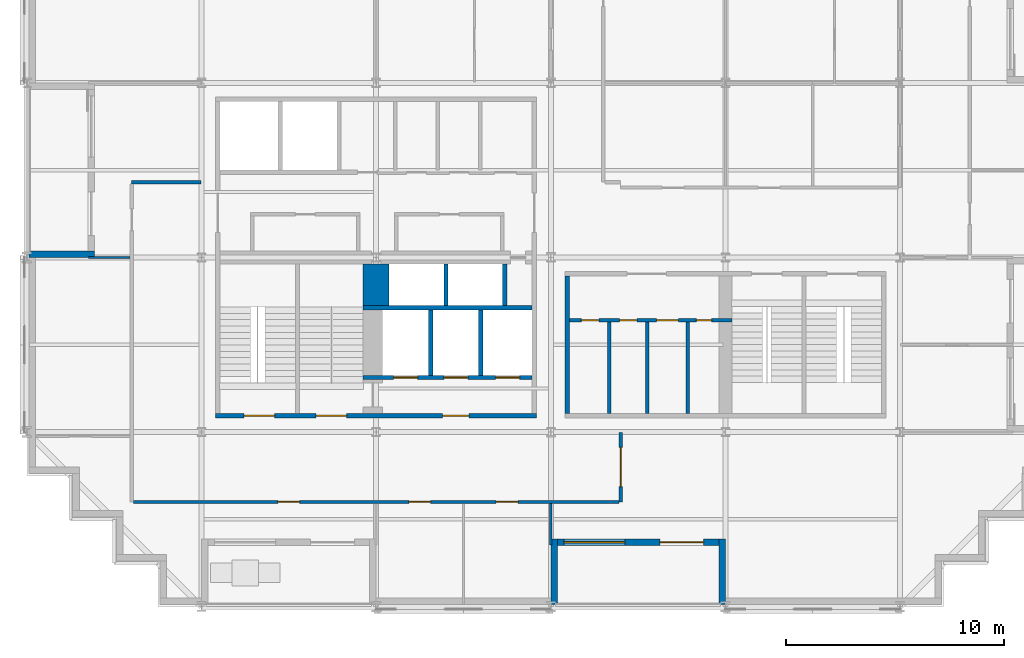
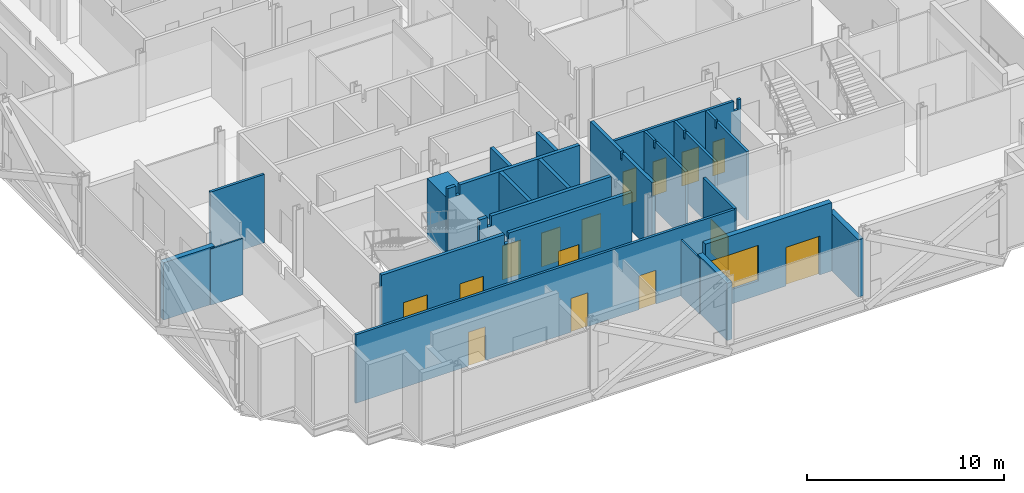
# One storey, part 6 of 15: 22 walls, 15 doors, 1 window, 16 openings.
"""IFC4 building model written with IfcOpenShell, lengths in metres."""

from ifc_helpers import new_model, si_unit, direction, frame, frame_2d, origin, place, context, subcontext, project, spatial, polyline, rectangle, outline, extrude, material, layer, layer_set, type_object, element, fill, save


model = new_model("IFC4")

# Units and contexts
model_context = context("Model", 3, precision=1e-05, world=origin(), true_north=direction((0.0, 1.0)))
body_context = subcontext(model_context, "Body", "Model", "MODEL_VIEW")
ifc_project = project(units=[si_unit("LENGTHUNIT", "METRE"), si_unit("AREAUNIT", "SQUARE_METRE"), si_unit("VOLUMEUNIT", "CUBIC_METRE"), si_unit("PLANEANGLEUNIT", "RADIAN"), si_unit("MASSUNIT", "GRAM", prefix="KILO")], contexts=[model_context])

# Site, building, storey
site_placement = place(None, origin())
site = spatial("IfcSite", under=ifc_project, at=site_placement, CompositionType="ELEMENT")
building_placement = place(site_placement, origin())
building = spatial("IfcBuilding", under=site, at=building_placement, Name="Immortelle Media Tower", CompositionType="ELEMENT")
storey_placement = place(building_placement, frame((0.0, 0.0, 87.60009765625)))
storey = spatial("IfcBuildingStorey", under=building, at=storey_placement, Name="L16", CompositionType="ELEMENT", Elevation=87.60009765625)

# Wall, openings, doors
ifc_material_1 = material(Name="Fire-rated gypsum board", Category="gypsum")
ifc_layer_1 = layer(ifc_material_1, 0.02490234375)
ifc_material_2 = material(Name="Steel ASTM A653 SS Gr 50 stud frame with mineral wool", Category="steel")
ifc_layer_2 = layer(ifc_material_2, 0.10009765625)
ifc_layer_3 = layer(ifc_material_1, 0.02490234375)
ifc_layer_set_1 = layer_set([ifc_layer_1, ifc_layer_2, ifc_layer_3], Name="Steel ASTM A653 SS Gr 50 stud frame with mineral wool")
wall_type_1 = type_object("IfcWallType", Name="Core partition 150", PredefinedType="PARTITIONING", material=ifc_layer_set_1)
wall_1_placement = place(storey_placement, frame((24.85009765625, 13.125, 0.0), z_axis=(0.0, 0.0, 1.0), x_axis=(1.0, 0.0, 0.0)))
wall_1 = element("IfcWall", 1, at=wall_1_placement, inside=storey, type_object=wall_type_1, Name="Core partition SE", PredefinedType="PARTITIONING", context=body_context, shape_type="SweptSolid", body=[
    extrude(outline(polyline([(0.0, 0.0), (7.449951171875, 0.0), (7.449951171875, 4.25), (7.26953125, 4.25), (7.2685546875, 3.6318359375), (7.031494140625, 3.6318359375), (7.030517578125, 4.25), (0.0, 4.25), (0.0, 0.0)])), frame((0.0, 0.074951171875, 0.0), z_axis=(0.0, -1.0, 0.0), x_axis=(1.0, 0.0, 0.0)), (0.0, 0.0, 1.0), 0.14990234375),
])
opening_1_placement = place(wall_1_placement, frame((1.35009765625, 0.0, 0.0), z_axis=(0.0, 0.0, 1.0), x_axis=(-1.0, 0.0, 0.0)))
opening_1 = element("IfcOpeningElement", 2, at=opening_1_placement, cuts=wall_1, Name="Opening N5-K017", PredefinedType="OPENING", context=body_context, shape_type="SweptSolid", body=[
    extrude(rectangle(XDim=0.800048828125, YDim=2.10009765625, at=frame_2d((0.39990234375, 1.050048828125))), frame((0.0, 0.0849609375, 0.0), z_axis=(0.0, -1.0, 0.0), x_axis=(1.0, 0.0, 0.0)), (0.0, 0.0, 1.0), 0.169921875),
])
opening_2_placement = place(wall_1_placement, frame((3.10009765625, 0.0, 0.0), z_axis=(0.0, 0.0, 1.0), x_axis=(-1.0, 0.0, 0.0)))
opening_2 = element("IfcOpeningElement", 3, at=opening_2_placement, cuts=wall_1, Name="Opening N5-K018", PredefinedType="OPENING", context=body_context, shape_type="SweptSolid", body=[
    extrude(rectangle(XDim=0.800048828125, YDim=2.10009765625, at=frame_2d((0.39990234375, 1.050048828125))), frame((0.0, 0.0849609375, 0.0), z_axis=(0.0, -1.0, 0.0), x_axis=(1.0, 0.0, 0.0)), (0.0, 0.0, 1.0), 0.169921875),
])
opening_3_placement = place(wall_1_placement, frame((5.0, 0.0, 0.0), z_axis=(0.0, 0.0, 1.0), x_axis=(-1.0, 0.0, 0.0)))
opening_3 = element("IfcOpeningElement", 4, at=opening_3_placement, cuts=wall_1, Name="Opening N5-K020", PredefinedType="OPENING", context=body_context, shape_type="SweptSolid", body=[
    extrude(rectangle(XDim=1.0, YDim=2.10009765625, at=frame_2d((0.5, 1.050048828125))), frame((0.0, 0.0849609375, 0.0), z_axis=(0.0, -1.0, 0.0), x_axis=(1.0, 0.0, 0.0)), (0.0, 0.0, 1.0), 0.169921875),
])
opening_4_placement = place(wall_1_placement, frame((6.52490234375, 0.0, 0.0), z_axis=(0.0, 0.0, 1.0), x_axis=(-1.0, 0.0, 0.0)))
opening_4 = element("IfcOpeningElement", 5, at=opening_4_placement, cuts=wall_1, Name="Opening N5-K021", PredefinedType="OPENING", context=body_context, shape_type="SweptSolid", body=[
    extrude(rectangle(XDim=0.699951171875, YDim=2.10009765625, at=frame_2d((0.35009765625, 1.050048828125))), frame((0.0, 0.0849609375, 0.0), z_axis=(0.0, -1.0, 0.0), x_axis=(1.0, 0.0, 0.0)), (0.0, 0.0, 1.0), 0.169921875),
])
ifc_material_3 = material(Name="Timber", Category="wood")
door_type_1 = type_object("IfcDoorType", Name="Accessible toilet door 1000 x 2100", OperationType="NOTDEFINED", PredefinedType="NOTDEFINED", material=ifc_material_3)
door_1_placement = place(opening_3_placement, origin())
door_1 = element("IfcDoor", 6, at=door_1_placement, inside=storey, type_object=door_type_1, Name="Accessible toilet N5-K020", OperationType="SINGLE_SWING_LEFT", OverallHeight=2.10009765625, OverallWidth=1.0, PredefinedType="NOTDEFINED", context=body_context, shape_type="SweptSolid", body=[
    extrude(rectangle(XDim=1.0, YDim=2.10009765625, at=frame_2d((0.5, 1.050048828125))), frame((0.0, 0.02490234375, 0.0), z_axis=(0.0, -1.0, 0.0), x_axis=(1.0, 0.0, 0.0)), (0.0, 0.0, 1.0), 0.050048828125),
])
fill(opening_3, door_1)
ifc_material_4 = material(Name="Galvanised steel door leaf and frame ASTM A653", Category="steel")
door_type_2 = type_object("IfcDoorType", Name="Service door 700 x 2100", OperationType="NOTDEFINED", PredefinedType="NOTDEFINED", material=ifc_material_4)
door_2_placement = place(opening_4_placement, origin())
door_2 = element("IfcDoor", 7, at=door_2_placement, inside=storey, type_object=door_type_2, Name="Service N5-K021", OperationType="SINGLE_SWING_LEFT", OverallHeight=2.10009765625, OverallWidth=0.699951171875, PredefinedType="NOTDEFINED", context=body_context, shape_type="SweptSolid", body=[
    extrude(rectangle(XDim=0.699951171875, YDim=2.10009765625, at=frame_2d((0.35009765625, 1.050048828125))), frame((0.0, 0.02490234375, 0.0), z_axis=(0.0, -1.0, 0.0), x_axis=(1.0, 0.0, 0.0)), (0.0, 0.0, 1.0), 0.050048828125),
])
fill(opening_4, door_2)
door_type_3 = type_object("IfcDoorType", Name="Toilet door 800 x 2100", OperationType="NOTDEFINED", PredefinedType="NOTDEFINED", material=ifc_material_3)
door_3_placement = place(opening_1_placement, origin())
door_3 = element("IfcDoor", 8, at=door_3_placement, inside=storey, type_object=door_type_3, Name="Toilet N5-K017", OperationType="SINGLE_SWING_LEFT", OverallHeight=2.10009765625, OverallWidth=0.800048828125, PredefinedType="NOTDEFINED", context=body_context, shape_type="SweptSolid", body=[
    extrude(rectangle(XDim=0.800048828125, YDim=2.10009765625, at=frame_2d((0.39990234375, 1.050048828125))), frame((0.0, 0.02490234375, 0.0), z_axis=(0.0, -1.0, 0.0), x_axis=(1.0, 0.0, 0.0)), (0.0, 0.0, 1.0), 0.050048828125),
])
fill(opening_1, door_3)
door_4_placement = place(opening_2_placement, origin())
door_4 = element("IfcDoor", 9, at=door_4_placement, inside=storey, type_object=door_type_3, Name="Toilet N5-K018", OperationType="SINGLE_SWING_LEFT", OverallHeight=2.10009765625, OverallWidth=0.800048828125, PredefinedType="NOTDEFINED", context=body_context, shape_type="SweptSolid", body=[
    extrude(rectangle(XDim=0.800048828125, YDim=2.10009765625, at=frame_2d((0.39990234375, 1.050048828125))), frame((0.0, 0.02490234375, 0.0), z_axis=(0.0, -1.0, 0.0), x_axis=(1.0, 0.0, 0.0)), (0.0, 0.0, 1.0), 0.050048828125),
])
fill(opening_2, door_4)

# Walls
for number, where, z_axis, x_axis, name in (
    (10, (26.675048828125, 8.85009765625, 0.0), (0.0, 0.0, 1.0), (0.0, 1.0, 0.0), "Core partition SE"),
    (11, (28.425048828125, 8.85009765625, 0.0), (0.0, 0.0, 1.0), (0.0, 1.0, 0.0), "Core partition SE"),
    (12, (30.27490234375, 8.85009765625, 0.0), (0.0, 0.0, 1.0), (0.0, 1.0, 0.0), "Core partition SE"),
):
    element("IfcWall", number, at=place(storey_placement, frame(where, z_axis=z_axis, x_axis=x_axis)), inside=storey, type_object=wall_type_1, Name=name, PredefinedType="PARTITIONING", context=body_context, shape_type="SweptSolid", body=[
        extrude(outline(polyline([(0.0, 0.0), (4.199951171875, 0.0), (4.199951171875, 4.25), (3.2314453125, 4.25), (3.23046875, 3.788818359375), (3.069580078125, 3.788818359375), (3.068603515625, 4.25), (0.0, 4.25), (0.0, 0.0)])), frame((0.0, 0.074951171875, 0.0), z_axis=(0.0, -1.0, 0.0), x_axis=(1.0, 0.0, 0.0)), (0.0, 0.0, 1.0), 0.14990234375),
    ])

# Wall, openings, doors
ifc_layer_4 = layer(ifc_material_1, 0.03759765625)
ifc_layer_5 = layer(ifc_material_2, 0.125)
ifc_layer_6 = layer(ifc_material_1, 0.03759765625)
ifc_layer_set_2 = layer_set([ifc_layer_4, ifc_layer_5, ifc_layer_6], Name="Steel ASTM A653 SS Gr 50 stud frame with mineral wool")
wall_type_2 = type_object("IfcWallType", Name="Core shaft wall 200", PredefinedType="PARTITIONING", material=ifc_layer_set_2)
wall_2_placement = place(storey_placement, frame((15.39990234375, 10.5, 0.0), z_axis=(0.0, 0.0, 1.0), x_axis=(1.0, 0.0, 0.0)))
wall_2 = element("IfcWall", 13, at=wall_2_placement, inside=storey, type_object=wall_type_2, Name="Core shaft wall SW", PredefinedType="PARTITIONING", context=body_context, shape_type="SweptSolid", body=[
    extrude(outline(polyline([(0.0, 0.0), (7.75, 0.0), (7.75, 4.25), (0.719482421875, 4.25), (0.718505859375, 3.6318359375), (0.4814453125, 3.6318359375), (0.48046875, 4.25), (0.0, 4.25), (0.0, 0.0)])), frame((0.0, 0.10009765625, 0.0), z_axis=(0.0, -1.0, 0.0), x_axis=(1.0, 0.0, 0.0)), (0.0, 0.0, 1.0), 0.199951171875),
])
opening_5_placement = place(wall_2_placement, frame((1.39990234375, 0.0, 0.0)))
opening_5 = element("IfcOpeningElement", 14, at=opening_5_placement, cuts=wall_2, Name="Opening LD", PredefinedType="OPENING", context=body_context, shape_type="SweptSolid", body=[
    extrude(rectangle(XDim=1.10009765625, YDim=2.10009765625, at=frame_2d((0.550048828125, 1.050048828125))), frame((0.0, 0.10986328125, 0.0), z_axis=(0.0, -1.0, 0.0), x_axis=(1.0, 0.0, 0.0)), (0.0, 0.0, 1.0), 0.219970703125),
])
opening_6_placement = place(wall_2_placement, frame((3.699951171875, 0.0, 0.0)))
opening_6 = element("IfcOpeningElement", 15, at=opening_6_placement, cuts=wall_2, Name="Opening LD", PredefinedType="OPENING", context=body_context, shape_type="SweptSolid", body=[
    extrude(rectangle(XDim=1.10009765625, YDim=2.10009765625, at=frame_2d((0.550048828125, 1.050048828125))), frame((0.0, 0.10986328125, 0.0), z_axis=(0.0, -1.0, 0.0), x_axis=(1.0, 0.0, 0.0)), (0.0, 0.0, 1.0), 0.219970703125),
])
opening_7_placement = place(wall_2_placement, frame((6.074951171875, 0.0, 0.0)))
opening_7 = element("IfcOpeningElement", 16, at=opening_7_placement, cuts=wall_2, Name="Opening LD", PredefinedType="OPENING", context=body_context, shape_type="SweptSolid", body=[
    extrude(rectangle(XDim=1.10009765625, YDim=2.10009765625, at=frame_2d((0.550048828125, 1.050048828125))), frame((0.0, 0.10986328125, 0.0), z_axis=(0.0, -1.0, 0.0), x_axis=(1.0, 0.0, 0.0)), (0.0, 0.0, 1.0), 0.219970703125),
])
ifc_material_5 = material(Name="Stainless steel AISI 304", Category="steel")
door_type_4 = type_object("IfcDoorType", Name="Landing door 1100 x 2100", OperationType="SLIDING_TO_LEFT", PredefinedType="NOTDEFINED", material=ifc_material_5)
door_5_placement = place(opening_5_placement, origin())
door_5 = element("IfcDoor", 17, at=door_5_placement, inside=storey, type_object=door_type_4, Name="Landing door FF1 L16", OperationType="SLIDING_TO_LEFT", OverallHeight=2.10009765625, OverallWidth=1.10009765625, PredefinedType="NOTDEFINED", context=body_context, shape_type="SweptSolid", body=[
    extrude(rectangle(XDim=1.10009765625, YDim=2.10009765625, at=frame_2d((0.550048828125, 1.050048828125))), frame((0.0, 0.02490234375, 0.0), z_axis=(0.0, -1.0, 0.0), x_axis=(1.0, 0.0, 0.0)), (0.0, 0.0, 1.0), 0.050048828125),
])
fill(opening_5, door_5)
door_6_placement = place(opening_6_placement, origin())
door_6 = element("IfcDoor", 18, at=door_6_placement, inside=storey, type_object=door_type_4, Name="Landing door FF2 L16", OperationType="SLIDING_TO_LEFT", OverallHeight=2.10009765625, OverallWidth=1.10009765625, PredefinedType="NOTDEFINED", context=body_context, shape_type="SweptSolid", body=[
    extrude(rectangle(XDim=1.10009765625, YDim=2.10009765625, at=frame_2d((0.550048828125, 1.050048828125))), frame((0.0, 0.02490234375, 0.0), z_axis=(0.0, -1.0, 0.0), x_axis=(1.0, 0.0, 0.0)), (0.0, 0.0, 1.0), 0.050048828125),
])
fill(opening_6, door_6)
door_7_placement = place(opening_7_placement, origin())
door_7 = element("IfcDoor", 19, at=door_7_placement, inside=storey, type_object=door_type_4, Name="Landing door FF3 L16", OperationType="SLIDING_TO_LEFT", OverallHeight=2.10009765625, OverallWidth=1.10009765625, PredefinedType="NOTDEFINED", context=body_context, shape_type="SweptSolid", body=[
    extrude(rectangle(XDim=1.10009765625, YDim=2.10009765625, at=frame_2d((0.550048828125, 1.050048828125))), frame((0.0, 0.02490234375, 0.0), z_axis=(0.0, -1.0, 0.0), x_axis=(1.0, 0.0, 0.0)), (0.0, 0.0, 1.0), 0.050048828125),
])
fill(opening_7, door_7)

# Walls
wall_3_placement = place(storey_placement, frame((15.39990234375, 13.699951171875, 0.0), z_axis=(0.0, 0.0, 1.0), x_axis=(1.0, 0.0, 0.0)))
element("IfcWall", 20, at=wall_3_placement, inside=storey, type_object=wall_type_2, Name="Core shaft wall SW", PredefinedType="PARTITIONING", context=body_context, shape_type="SweptSolid", body=[
    extrude(outline(polyline([(0.0, 0.0), (7.75, 0.0), (7.75, 4.25), (0.719482421875, 4.25), (0.718505859375, 3.6318359375), (0.4814453125, 3.6318359375), (0.48046875, 4.25), (0.0, 4.25), (0.0, 0.0)])), frame((0.0, 0.10009765625, 0.0), z_axis=(0.0, -1.0, 0.0), x_axis=(1.0, 0.0, 0.0)), (0.0, 0.0, 1.0), 0.199951171875),
])
wall_4_placement = place(storey_placement, frame((18.5, 10.60009765625, 0.0), z_axis=(0.0, 0.0, 1.0), x_axis=(0.0, 1.0, 0.0)))
element("IfcWall", 21, at=wall_4_placement, inside=storey, type_object=wall_type_2, Name="Core shaft wall SW", PredefinedType="PARTITIONING", context=body_context, shape_type="SweptSolid", body=[
    extrude(rectangle(XDim=3.0, YDim=0.199951171875, at=frame_2d((1.5, 0.0))), origin(), (0.0, 0.0, 1.0), 4.25),
])
wall_5_placement = place(storey_placement, frame((19.199951171875, 13.800048828125, 0.0), z_axis=(0.0, 0.0, 1.0), x_axis=(0.0, 1.0, 0.0)))
element("IfcWall", 22, at=wall_5_placement, inside=storey, type_object=wall_type_2, Name="Core shaft wall SW", PredefinedType="PARTITIONING", context=body_context, shape_type="SweptSolid", body=[
    extrude(rectangle(XDim=1.89990234375, YDim=0.199951171875, at=frame_2d((0.949951171875, 0.0))), origin(), (0.0, 0.0, 1.0), 4.25),
])
wall_6_placement = place(storey_placement, frame((20.800048828125, 10.60009765625, 0.0), z_axis=(0.0, 0.0, 1.0), x_axis=(0.0, 1.0, 0.0)))
element("IfcWall", 23, at=wall_6_placement, inside=storey, type_object=wall_type_2, Name="Core shaft wall SW", PredefinedType="PARTITIONING", context=body_context, shape_type="SweptSolid", body=[
    extrude(rectangle(XDim=3.0, YDim=0.199951171875, at=frame_2d((1.5, 0.0))), origin(), (0.0, 0.0, 1.0), 4.25),
])
wall_7_placement = place(storey_placement, frame((21.89990234375, 13.800048828125, 0.0), z_axis=(0.0, 0.0, 1.0), x_axis=(0.0, 1.0, 0.0)))
element("IfcWall", 24, at=wall_7_placement, inside=storey, type_object=wall_type_2, Name="Core shaft wall SW", PredefinedType="PARTITIONING", context=body_context, shape_type="SweptSolid", body=[
    extrude(rectangle(XDim=1.89990234375, YDim=0.199951171875, at=frame_2d((0.949951171875, 0.0))), origin(), (0.0, 0.0, 1.0), 4.25),
])
wall_8_placement = place(storey_placement, frame((24.75, 8.85009765625, 0.0), z_axis=(0.0, 0.0, 1.0), x_axis=(0.0, 1.0, 0.0)))
element("IfcWall", 25, at=wall_8_placement, inside=storey, type_object=wall_type_2, Name="Core shaft wall SE", PredefinedType="PARTITIONING", context=body_context, shape_type="SweptSolid", body=[
    extrude(outline(polyline([(0.0, 0.0), (6.2998046875, 0.0), (6.300048828125, 4.25), (3.2314453125, 4.25), (3.23046875, 3.788818359375), (3.069580078125, 3.788818359375), (3.068603515625, 4.25), (0.0, 4.25), (0.0, 0.0)])), frame((0.0, 0.10009765625, 0.0), z_axis=(0.0, -1.0, 0.0), x_axis=(1.0, 0.0, 0.0)), (0.0, 0.0, 1.0), 0.199951171875),
])

# Wall, openings, doors
ifc_layer_7 = layer(ifc_material_1, 0.012451171875)
ifc_layer_8 = layer(ifc_material_2, 0.125)
ifc_layer_9 = layer(ifc_material_1, 0.012451171875)
ifc_layer_set_3 = layer_set([ifc_layer_7, ifc_layer_8, ifc_layer_9], Name="Steel ASTM A653 SS Gr 50 stud frame with mineral wool")
wall_type_3 = type_object("IfcWallType", Name="Corridor wall 150", PredefinedType="PARTITIONING", material=ifc_layer_set_3)
wall_9_placement = place(storey_placement, frame((4.875, 4.800048828125, 0.0), z_axis=(0.0, 0.0, 1.0), x_axis=(1.0, 0.0, 0.0)))
wall_9 = element("IfcWall", 26, at=wall_9_placement, inside=storey, type_object=wall_type_3, Name="Partition L16-004", PredefinedType="PARTITIONING", context=body_context, shape_type="SweptSolid", body=[
    extrude(rectangle(XDim=22.25, YDim=0.14990234375, at=frame_2d((11.125, 0.0))), origin(), (0.0, 0.0, 1.0), 4.25),
])
opening_8_placement = place(wall_9_placement, frame((13.625, 0.0, 0.0), z_axis=(0.0, 0.0, 1.0), x_axis=(-1.0, 0.0, 0.0)))
opening_8 = element("IfcOpeningElement", 27, at=opening_8_placement, cuts=wall_9, Name="Opening N5-F001", PredefinedType="OPENING", context=body_context, shape_type="SweptSolid", body=[
    extrude(rectangle(XDim=1.0, YDim=2.10009765625, at=frame_2d((0.5, 1.050048828125))), frame((0.0, 0.0849609375, 0.0), z_axis=(0.0, -1.0, 0.0), x_axis=(1.0, 0.0, 0.0)), (0.0, 0.0, 1.0), 0.169921875),
])
opening_9_placement = place(wall_9_placement, frame((17.625, 0.0, 0.0), z_axis=(0.0, 0.0, 1.0), x_axis=(-1.0, 0.0, 0.0)))
opening_9 = element("IfcOpeningElement", 28, at=opening_9_placement, cuts=wall_9, Name="Opening N5-F002", PredefinedType="OPENING", context=body_context, shape_type="SweptSolid", body=[
    extrude(rectangle(XDim=1.0, YDim=2.10009765625, at=frame_2d((0.5, 1.050048828125))), frame((0.0, 0.0849609375, 0.0), z_axis=(0.0, -1.0, 0.0), x_axis=(1.0, 0.0, 0.0)), (0.0, 0.0, 1.0), 0.169921875),
])
opening_10_placement = place(wall_9_placement, frame((7.625, 0.0, 0.0), z_axis=(0.0, 0.0, 1.0), x_axis=(-1.0, 0.0, 0.0)))
opening_10 = element("IfcOpeningElement", 29, at=opening_10_placement, cuts=wall_9, Name="Opening N5-F004", PredefinedType="OPENING", context=body_context, shape_type="SweptSolid", body=[
    extrude(rectangle(XDim=1.0, YDim=2.10009765625, at=frame_2d((0.5, 1.050048828125))), frame((0.0, 0.0849609375, 0.0), z_axis=(0.0, -1.0, 0.0), x_axis=(1.0, 0.0, 0.0)), (0.0, 0.0, 1.0), 0.169921875),
])
ifc_material_6 = material(Name="Timber veneered door leaf, galvanised steel frame ASTM A653", Category="steel")
door_type_5 = type_object("IfcDoorType", Name="Room door 1000 x 2100", OperationType="NOTDEFINED", PredefinedType="DOOR", material=ifc_material_6)
door_8_placement = place(opening_8_placement, origin())
door_8 = element("IfcDoor", 30, at=door_8_placement, inside=storey, type_object=door_type_5, Name="Door N5-F001", OperationType="SINGLE_SWING_RIGHT", OverallHeight=2.10009765625, OverallWidth=1.0, PredefinedType="DOOR", context=body_context, shape_type="SweptSolid", body=[
    extrude(rectangle(XDim=1.0, YDim=2.10009765625, at=frame_2d((0.5, 1.050048828125))), frame((0.0, 0.02490234375, 0.0), z_axis=(0.0, -1.0, 0.0), x_axis=(1.0, 0.0, 0.0)), (0.0, 0.0, 1.0), 0.050048828125),
])
fill(opening_8, door_8)
door_9_placement = place(opening_9_placement, origin())
door_9 = element("IfcDoor", 31, at=door_9_placement, inside=storey, type_object=door_type_5, Name="Door N5-F002", OperationType="SINGLE_SWING_RIGHT", OverallHeight=2.10009765625, OverallWidth=1.0, PredefinedType="DOOR", context=body_context, shape_type="SweptSolid", body=[
    extrude(rectangle(XDim=1.0, YDim=2.10009765625, at=frame_2d((0.5, 1.050048828125))), frame((0.0, 0.02490234375, 0.0), z_axis=(0.0, -1.0, 0.0), x_axis=(1.0, 0.0, 0.0)), (0.0, 0.0, 1.0), 0.050048828125),
])
fill(opening_9, door_9)
door_10_placement = place(opening_10_placement, origin())
door_10 = element("IfcDoor", 32, at=door_10_placement, inside=storey, type_object=door_type_5, Name="Door N5-F004", OperationType="SINGLE_SWING_LEFT", OverallHeight=2.10009765625, OverallWidth=1.0, PredefinedType="DOOR", context=body_context, shape_type="SweptSolid", body=[
    extrude(rectangle(XDim=1.0, YDim=2.10009765625, at=frame_2d((0.5, 1.050048828125))), frame((0.0, 0.02490234375, 0.0), z_axis=(0.0, -1.0, 0.0), x_axis=(1.0, 0.0, 0.0)), (0.0, 0.0, 1.0), 0.050048828125),
])
fill(opening_10, door_10)

# Wall, opening, door
wall_10_placement = place(storey_placement, frame((27.199951171875, 4.800048828125, 0.0), z_axis=(0.0, 0.0, 1.0), x_axis=(0.0, 1.0, 0.0)))
wall_10 = element("IfcWall", 33, at=wall_10_placement, inside=storey, type_object=wall_type_3, Name="Partition L16-006", PredefinedType="PARTITIONING", context=body_context, shape_type="SweptSolid", body=[
    extrude(rectangle(XDim=3.169921875, YDim=0.14990234375, at=frame_2d((1.5849609375, 0.0))), origin(), (0.0, 0.0, 1.0), 4.25),
])
opening_11_placement = place(wall_10_placement, frame((0.699951171875, 0.0, 0.0)))
opening_11 = element("IfcOpeningElement", 34, at=opening_11_placement, cuts=wall_10, Name="Opening N5-F003", PredefinedType="OPENING", context=body_context, shape_type="SweptSolid", body=[
    extrude(rectangle(XDim=1.800048828125, YDim=2.10009765625, at=frame_2d((0.89990234375, 1.050048828125))), frame((0.0, 0.0849609375, 0.0), z_axis=(0.0, -1.0, 0.0), x_axis=(1.0, 0.0, 0.0)), (0.0, 0.0, 1.0), 0.169921875),
])
door_type_6 = type_object("IfcDoorType", Name="Room door 1800 x 2100", OperationType="DOUBLE_DOOR_SINGLE_SWING", PredefinedType="DOOR", material=ifc_material_6)
door_11_placement = place(opening_11_placement, origin())
door_11 = element("IfcDoor", 35, at=door_11_placement, inside=storey, type_object=door_type_6, Name="Door N5-F003", OperationType="DOUBLE_DOOR_SINGLE_SWING", OverallHeight=2.10009765625, OverallWidth=1.800048828125, PredefinedType="DOOR", context=body_context, shape_type="SweptSolid", body=[
    extrude(rectangle(XDim=1.800048828125, YDim=2.10009765625, at=frame_2d((0.89990234375, 1.050048828125))), frame((0.0, 0.02490234375, 0.0), z_axis=(0.0, -1.0, 0.0), x_axis=(1.0, 0.0, 0.0)), (0.0, 0.0, 1.0), 0.050048828125),
])
fill(opening_11, door_11)

# Walls
wall_11_placement = place(storey_placement, frame((4.800048828125, 19.449951171875, 0.0), z_axis=(0.0, 0.0, 1.0), x_axis=(1.0, 0.0, 0.0)))
element("IfcWall", 36, at=wall_11_placement, inside=storey, type_object=wall_type_3, Name="Partition L16-018", PredefinedType="PARTITIONING", context=body_context, shape_type="SweptSolid", body=[
    extrude(rectangle(XDim=3.169921875, YDim=0.14990234375, at=frame_2d((1.5849609375, 0.0))), origin(), (0.0, 0.0, 1.0), 4.25),
])
ifc_material_7 = material(Name="Pale aluminium cladding panel", Category="aluminium")
ifc_layer_10 = layer(ifc_material_7, 0.030029296875)
ifc_layer_11 = layer(ifc_material_2, 0.257568359375)
ifc_material_8 = material(Name="Moisture-resistant gypsum board", Category="gypsum")
ifc_layer_12 = layer(ifc_material_8, 0.012451171875)
ifc_layer_set_4 = layer_set([ifc_layer_10, ifc_layer_11, ifc_layer_12], Name="Steel ASTM A653 SS Gr 50 stud frame with mineral wool")
wall_type_4 = type_object("IfcWallType", Name="Facade wall 300", PredefinedType="SOLIDWALL", material=ifc_layer_set_4)
wall_12_placement = place(storey_placement, frame((0.10009765625, 16.14990234375, 0.0), z_axis=(0.0, 0.0, 1.0), x_axis=(1.0, 0.0, 0.0)))
element("IfcWall", 37, at=wall_12_placement, inside=storey, type_object=wall_type_4, Name="Loggia cheek wall L16 W", PredefinedType="SOLIDWALL", context=body_context, shape_type="SweptSolid", body=[
    extrude(rectangle(XDim=3.0, YDim=0.300048828125, at=frame_2d((1.5, 0.0))), origin(), (0.0, 0.0, 1.0), 3.555908203125),
])

# Wall, openings, door, window
wall_13_placement = place(storey_placement, frame((24.300048828125, 2.949951171875, 0.0), z_axis=(0.0, 0.0, 1.0), x_axis=(1.0, 0.0, 0.0)))
wall_13 = element("IfcWall", 38, at=wall_13_placement, inside=storey, type_object=wall_type_4, Name="Loggia wall L16 S7", PredefinedType="SOLIDWALL", context=body_context, shape_type="SweptSolid", body=[
    extrude(rectangle(XDim=7.39990234375, YDim=0.300048828125, at=frame_2d((3.699951171875, 0.0))), origin(), (0.0, 0.0, 1.0), 4.25),
])
opening_12_placement = place(wall_13_placement, frame((0.300048828125, 0.0, 0.89990234375)))
opening_12 = element("IfcOpeningElement", 39, at=opening_12_placement, cuts=wall_13, Name="Opening W1", PredefinedType="OPENING", context=body_context, shape_type="SweptSolid", body=[
    extrude(rectangle(XDim=2.800048828125, YDim=2.199951171875, at=frame_2d((1.39990234375, 1.10009765625))), frame((0.0, 0.159912109375, 0.0), z_axis=(0.0, -1.0, 0.0), x_axis=(1.0, 0.0, 0.0)), (0.0, 0.0, 1.0), 0.320068359375),
])
opening_13_placement = place(wall_13_placement, frame((4.699951171875, 0.0, 0.0)))
opening_13 = element("IfcOpeningElement", 40, at=opening_13_placement, cuts=wall_13, Name="Opening N5-E004", PredefinedType="OPENING", context=body_context, shape_type="SweptSolid", body=[
    extrude(rectangle(XDim=2.0, YDim=2.39990234375, at=frame_2d((1.0, 1.199951171875))), frame((0.0, 0.159912109375, 0.0), z_axis=(0.0, -1.0, 0.0), x_axis=(1.0, 0.0, 0.0)), (0.0, 0.0, 1.0), 0.320068359375),
])
ifc_material_9 = material(Name="Aluminium frame, glazed leaves", Category="aluminium")
door_type_7 = type_object("IfcDoorType", Name="Loggia door 2000 x 2400", OperationType="DOUBLE_DOOR_SINGLE_SWING", PredefinedType="DOOR", material=ifc_material_9)
door_12_placement = place(opening_13_placement, origin())
door_12 = element("IfcDoor", 41, at=door_12_placement, inside=storey, type_object=door_type_7, Name="Door N5-E004", OperationType="DOUBLE_DOOR_SINGLE_SWING", OverallHeight=2.39990234375, OverallWidth=2.0, PredefinedType="DOOR", context=body_context, shape_type="SweptSolid", body=[
    extrude(rectangle(XDim=2.0, YDim=2.39990234375, at=frame_2d((1.0, 1.199951171875))), frame((0.0, 0.02490234375, 0.0), z_axis=(0.0, -1.0, 0.0), x_axis=(1.0, 0.0, 0.0)), (0.0, 0.0, 1.0), 0.050048828125),
])
fill(opening_13, door_12)
ifc_material_10 = material(Name="Aluminium frame", Category="aluminium")
window_type = type_object("IfcWindowType", Name="Window 2800 x 2200", PartitioningType="SINGLE_PANEL", PredefinedType="WINDOW", material=ifc_material_10)
window_placement = place(opening_12_placement, origin())
window = element("IfcWindow", 42, at=window_placement, inside=storey, type_object=window_type, Name="Window L16 L16-R7-B2", OverallHeight=2.199951171875, OverallWidth=2.800048828125, PartitioningType="SINGLE_PANEL", PredefinedType="WINDOW", context=body_context, shape_type="SweptSolid", body=[
    extrude(rectangle(XDim=2.800048828125, YDim=2.199951171875, at=frame_2d((1.39990234375, 1.10009765625))), frame((0.0, 0.030029296875, 0.0), z_axis=(0.0, -1.0, 0.0), x_axis=(1.0, 0.0, 0.0)), (0.0, 0.0, 1.0), 0.06005859375),
])
fill(opening_12, window)

# Walls
for number, where, z_axis, x_axis, name in (
    (43, (24.14990234375, 0.10009765625, 0.0), (0.0, 0.0, 1.0), (0.0, 1.0, 0.0), "Loggia cheek wall L16 S"),
    (44, (31.85009765625, 0.10009765625, 0.0), (0.0, 0.0, 1.0), (0.0, 1.0, 0.0), "Loggia cheek wall L16 S"),
):
    element("IfcWall", number, at=place(storey_placement, frame(where, z_axis=z_axis, x_axis=x_axis)), inside=storey, type_object=wall_type_4, Name=name, PredefinedType="SOLIDWALL", context=body_context, shape_type="SweptSolid", body=[
        extrude(rectangle(XDim=3.0, YDim=0.300048828125, at=frame_2d((1.5, 0.0))), origin(), (0.0, 0.0, 1.0), 3.555908203125),
    ])
ifc_material_11 = material(Name="Gypsum board", Category="gypsum")
ifc_layer_13 = layer(ifc_material_11, 0.012451171875)
ifc_layer_14 = layer(ifc_material_2, 0.074951171875)
ifc_layer_15 = layer(ifc_material_11, 0.012451171875)
ifc_layer_set_5 = layer_set([ifc_layer_13, ifc_layer_14, ifc_layer_15], Name="Steel ASTM A653 SS Gr 50 stud frame with mineral wool")
wall_type_5 = type_object("IfcWallType", Name="Partition 100", PredefinedType="PARTITIONING", material=ifc_layer_set_5)
for number, where, z_axis, x_axis, name in (
    (45, (24.0, 2.830078125, 0.0), (0.0, 0.0, 1.0), (0.0, 1.0, 0.0), "Partition L16-003"),
    (46, (2.830078125, 16.0, 0.0), (0.0, 0.0, 1.0), (1.0, 0.0, 0.0), "Partition L16-010"),
):
    element("IfcWall", number, at=place(storey_placement, frame(where, z_axis=z_axis, x_axis=x_axis)), inside=storey, type_object=wall_type_5, Name=name, PredefinedType="PARTITIONING", context=body_context, shape_type="SweptSolid", body=[
        extrude(rectangle(XDim=1.89501953125, YDim=0.10009765625, at=frame_2d((0.947509765625, 0.0))), origin(), (0.0, 0.0, 1.0), 3.469970703125),
    ])
ifc_material_12 = material(Name="Concrete C60", Category="concrete")
ifc_layer_16 = layer(ifc_material_12, 1.199951171875)
ifc_layer_set_6 = layer_set([ifc_layer_16], Name="Concrete C60")
wall_type_6 = type_object("IfcWallType", Name="Stair shaft wall 1200", PredefinedType="PARTITIONING", material=ifc_layer_set_6)
wall_14_placement = place(storey_placement, frame((16.0, 13.800048828125, 0.0), z_axis=(0.0, 0.0, 1.0), x_axis=(0.0, 1.0, 0.0)))
element("IfcWall", 47, at=wall_14_placement, inside=storey, type_object=wall_type_6, Name="Stair shaft wall SW", PredefinedType="PARTITIONING", context=body_context, shape_type="SweptSolid", body=[
    extrude(rectangle(XDim=1.89990234375, YDim=1.199951171875, at=frame_2d((0.949951171875, 0.0))), origin(), (0.0, 0.0, 1.0), 3.6318359375),
])

# Wall, openings, doors
ifc_layer_17 = layer(ifc_material_12, 0.199951171875)
ifc_layer_set_7 = layer_set([ifc_layer_17], Name="Concrete C60")
wall_type_7 = type_object("IfcWallType", Name="Stair shaft wall 200", PredefinedType="PARTITIONING", material=ifc_layer_set_7)
wall_15_placement = place(storey_placement, frame((8.64990234375, 8.75, 0.0), z_axis=(0.0, 0.0, 1.0), x_axis=(1.0, 0.0, 0.0)))
wall_15 = element("IfcWall", 48, at=wall_15_placement, inside=storey, type_object=wall_type_7, Name="Stair shaft wall SW", PredefinedType="PARTITIONING", context=body_context, shape_type="SweptSolid", body=[
    extrude(outline(polyline([(0.0, 0.0), (14.7001953125, 0.0), (14.699951171875, 4.25), (7.469482421875, 4.25), (7.468505859375, 3.6318359375), (7.2314453125, 3.6318359375), (7.23046875, 4.25), (0.0, 4.25), (0.0, 0.0)])), frame((0.0, 0.10009765625, 0.0), z_axis=(0.0, -1.0, 0.0), x_axis=(1.0, 0.0, 0.0)), (0.0, 0.0, 1.0), 0.199951171875),
])
opening_14_placement = place(wall_15_placement, frame((1.300048828125, 0.0, 0.0)))
opening_14 = element("IfcOpeningElement", 49, at=opening_14_placement, cuts=wall_15, Name="Opening N5-K002", PredefinedType="OPENING", context=body_context, shape_type="SweptSolid", body=[
    extrude(rectangle(XDim=1.39990234375, YDim=2.10009765625, at=frame_2d((0.699951171875, 1.050048828125))), frame((0.0, 0.10986328125, 0.0), z_axis=(0.0, -1.0, 0.0), x_axis=(1.0, 0.0, 0.0)), (0.0, 0.0, 1.0), 0.219970703125),
])
opening_15_placement = place(wall_15_placement, frame((4.60009765625, 0.0, 0.0)))
opening_15 = element("IfcOpeningElement", 50, at=opening_15_placement, cuts=wall_15, Name="Opening N5-K004", PredefinedType="OPENING", context=body_context, shape_type="SweptSolid", body=[
    extrude(rectangle(XDim=1.39990234375, YDim=2.10009765625, at=frame_2d((0.699951171875, 1.050048828125))), frame((0.0, 0.10986328125, 0.0), z_axis=(0.0, -1.0, 0.0), x_axis=(1.0, 0.0, 0.0)), (0.0, 0.0, 1.0), 0.219970703125),
])
opening_16_placement = place(wall_15_placement, frame((10.39990234375, 0.0, 0.0)))
opening_16 = element("IfcOpeningElement", 51, at=opening_16_placement, cuts=wall_15, Name="Opening N5-K010", PredefinedType="OPENING", context=body_context, shape_type="SweptSolid", body=[
    extrude(rectangle(XDim=1.199951171875, YDim=2.10009765625, at=frame_2d((0.60009765625, 1.050048828125))), frame((0.0, 0.10986328125, 0.0), z_axis=(0.0, -1.0, 0.0), x_axis=(1.0, 0.0, 0.0)), (0.0, 0.0, 1.0), 0.219970703125),
])
door_type_8 = type_object("IfcDoorType", Name="Fire-fighting lobby door 1200 x 2100", OperationType="NOTDEFINED", PredefinedType="NOTDEFINED", material=ifc_material_4)
door_13_placement = place(opening_16_placement, origin())
door_13 = element("IfcDoor", 52, at=door_13_placement, inside=storey, type_object=door_type_8, Name="Fire-fighting lobby N5-K010", OperationType="SINGLE_SWING_RIGHT", OverallHeight=2.10009765625, OverallWidth=1.199951171875, PredefinedType="NOTDEFINED", context=body_context, shape_type="SweptSolid", body=[
    extrude(rectangle(XDim=1.199951171875, YDim=2.10009765625, at=frame_2d((0.60009765625, 1.050048828125))), frame((0.0, 0.02490234375, 0.0), z_axis=(0.0, -1.0, 0.0), x_axis=(1.0, 0.0, 0.0)), (0.0, 0.0, 1.0), 0.050048828125),
])
fill(opening_16, door_13)
door_type_9 = type_object("IfcDoorType", Name="Stair door 1400 x 2100", OperationType="DOUBLE_DOOR_SINGLE_SWING", PredefinedType="NOTDEFINED", material=ifc_material_4)
door_14_placement = place(opening_14_placement, origin())
door_14 = element("IfcDoor", 53, at=door_14_placement, inside=storey, type_object=door_type_9, Name="Stair N5-K002", OperationType="DOUBLE_DOOR_SINGLE_SWING", OverallHeight=2.10009765625, OverallWidth=1.39990234375, PredefinedType="NOTDEFINED", context=body_context, shape_type="SweptSolid", body=[
    extrude(rectangle(XDim=1.39990234375, YDim=2.10009765625, at=frame_2d((0.699951171875, 1.050048828125))), frame((0.0, 0.02490234375, 0.0), z_axis=(0.0, -1.0, 0.0), x_axis=(1.0, 0.0, 0.0)), (0.0, 0.0, 1.0), 0.050048828125),
])
fill(opening_14, door_14)
door_15_placement = place(opening_15_placement, origin())
door_15 = element("IfcDoor", 54, at=door_15_placement, inside=storey, type_object=door_type_9, Name="Stair N5-K004", OperationType="DOUBLE_DOOR_SINGLE_SWING", OverallHeight=2.10009765625, OverallWidth=1.39990234375, PredefinedType="NOTDEFINED", context=body_context, shape_type="SweptSolid", body=[
    extrude(rectangle(XDim=1.39990234375, YDim=2.10009765625, at=frame_2d((0.699951171875, 1.050048828125))), frame((0.0, 0.02490234375, 0.0), z_axis=(0.0, -1.0, 0.0), x_axis=(1.0, 0.0, 0.0)), (0.0, 0.0, 1.0), 0.050048828125),
])
fill(opening_15, door_15)

save(model, "model.ifc")
